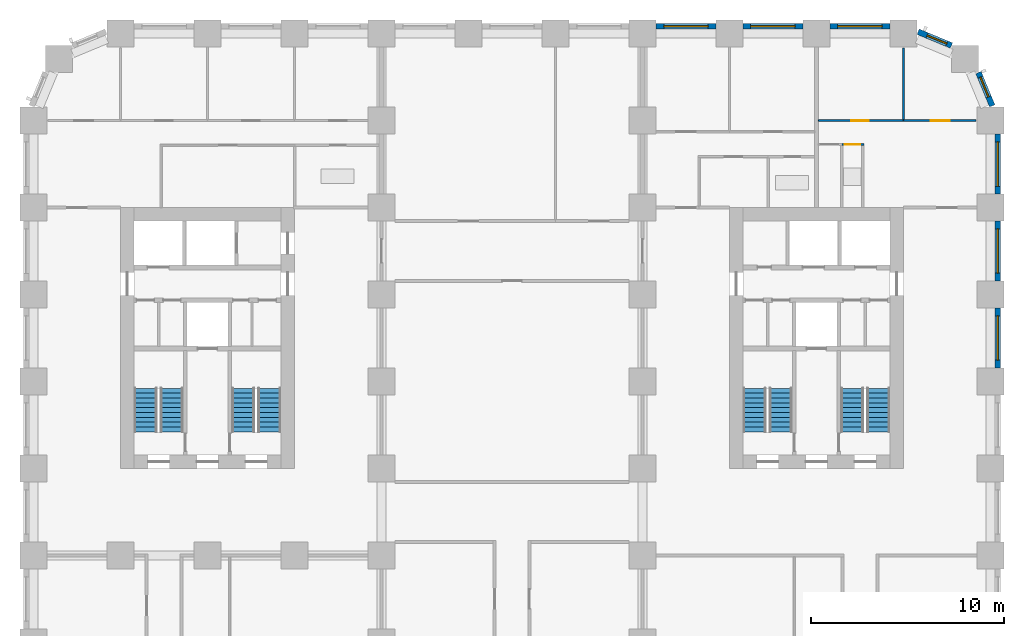
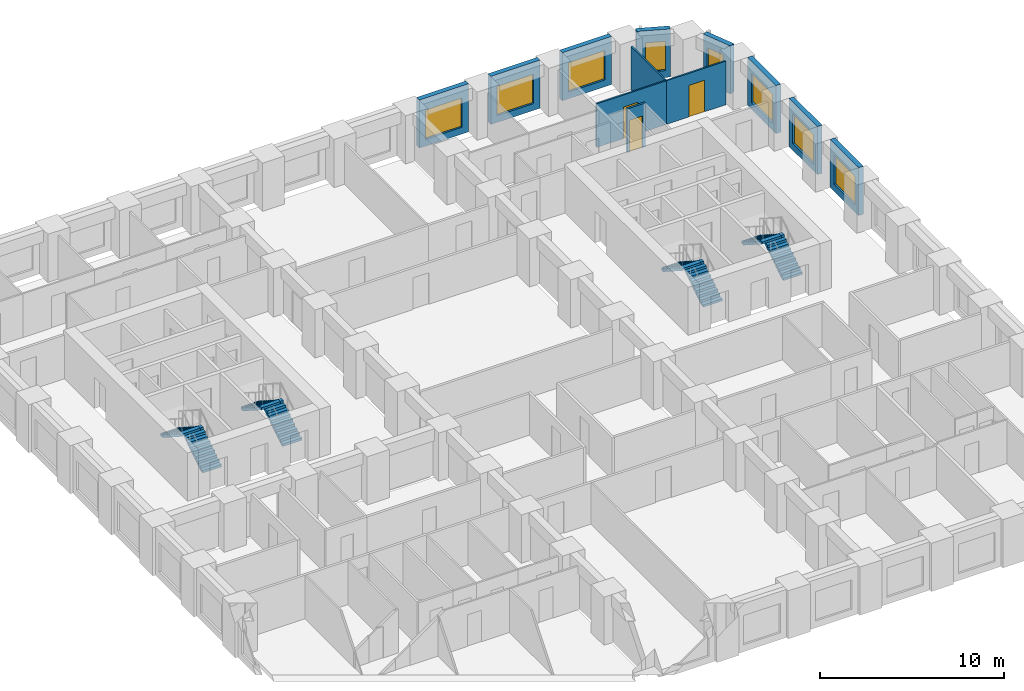
# One storey, part 9 of 12: 12 walls, 8 stair flights, 8 windows, 3 doors, 11 openings, 4 elements without a shape of their own.
"""IFC4 building model written with IfcOpenShell, lengths in metres."""

import ifcopenshell
import ifcopenshell.guid

model = None  # the IFC model being written
_history = None  # IfcOwnerHistory: only IFC2X3 demands one
_inside = {}  # id of a spatial element -> (the spatial element, [elements in it])
_under = {}  # id of a project, library or spatial element -> (it, [spatial elements below it])
_declared = {}  # id of a project -> (the project, [libraries it declares])
_typed = {}  # id of a type object -> (the type object, [elements of that type])
_made_of = {}  # id of a material, layer set ... -> (it, [elements and type objects made of it])


def new_model(schema):
    """Start an empty IFC model of exactly this schema.

    Asked for "IFC4X3", IfcOpenShell would pick the latest addendum, in which some entities
    have other attributes; the version numbers below select the first issue.
    IFC2X3 requires an IfcOwnerHistory on every rooted entity: one is made here for all.
    """
    global model, _history
    if schema == "IFC4X3":
        model = ifcopenshell.file(schema_version=(4, 3, 0, 0))
    else:
        model = ifcopenshell.file(schema=schema)
    _inside.clear()
    _under.clear()
    _declared.clear()
    _typed.clear()
    _made_of.clear()
    _history = None
    if model.schema == "IFC2X3":
        org = make("IfcOrganization", Name="unknown")
        user = make(
            "IfcPersonAndOrganization",
            ThePerson=make("IfcPerson", FamilyName="unknown"),
            TheOrganization=org,
        )
        app = make(
            "IfcApplication",
            ApplicationDeveloper=org,
            Version="unknown",
            ApplicationFullName="unknown",
            ApplicationIdentifier="unknown",
        )
        _history = make(
            "IfcOwnerHistory",
            OwningUser=user,
            OwningApplication=app,
            ChangeAction="ADDED",
            CreationDate=0,
        )
    return model


def make(cls, **values):
    """One entity of the class cls with the attributes given. An attribute that is None is left unset."""
    return model.create_entity(
        cls, **{name: value for name, value in values.items() if value is not None}
    )


def rooted(cls, **values):
    """An entity with a GlobalId (a new one), such as an element, a storey or a relation."""
    return make(cls, GlobalId=ifcopenshell.guid.new(), OwnerHistory=_history, **values)


def si_unit(unit_type, name, prefix=None):
    """IfcSIUnit, for example si_unit("LENGTHUNIT", "METRE", prefix="MILLI")."""
    return make("IfcSIUnit", UnitType=unit_type, Prefix=prefix, Name=name)


def assignment(units):
    """IfcUnitAssignment: the units of a project."""
    return None if units is None else make("IfcUnitAssignment", Units=units)


def point(xyz):
    """IfcCartesianPoint."""
    return None if xyz is None else make("IfcCartesianPoint", Coordinates=xyz)


def direction(xyz):
    """IfcDirection."""
    return None if xyz is None else make("IfcDirection", DirectionRatios=xyz)


def frame(location, z_axis=None, x_axis=None):
    """IfcAxis2Placement3D, a coordinate frame: its origin and axes. An axis left out is left unset."""
    return make(
        "IfcAxis2Placement3D",
        Location=point(location),
        Axis=direction(z_axis),
        RefDirection=direction(x_axis),
    )


def frame_2d(location, x_axis=None):
    """IfcAxis2Placement2D, a coordinate frame in the plane: its origin and x axis."""
    return make(
        "IfcAxis2Placement2D", Location=point(location), RefDirection=direction(x_axis)
    )


def origin():
    """The frame at (0, 0, 0) with its axes left unset."""
    return frame((0.0, 0.0, 0.0))


def place(relative_to, where):
    """IfcLocalPlacement: puts the frame where relative to a parent placement (None: the world)."""
    return make(
        "IfcLocalPlacement", PlacementRelTo=relative_to, RelativePlacement=where
    )


def context(
    kind, dimensions, precision=None, world=None, true_north=None, identifier=None
):
    """IfcGeometricRepresentationContext, for example the 3D "Model" context."""
    return make(
        "IfcGeometricRepresentationContext",
        ContextIdentifier=identifier,
        ContextType=kind,
        CoordinateSpaceDimension=dimensions,
        Precision=precision,
        WorldCoordinateSystem=world,
        TrueNorth=true_north,
    )


def subcontext(parent, identifier, kind, view, scale=None):
    """IfcGeometricRepresentationSubContext, for example "Body" below "Model"."""
    return make(
        "IfcGeometricRepresentationSubContext",
        ContextIdentifier=identifier,
        ContextType=kind,
        ParentContext=parent,
        TargetScale=scale,
        TargetView=view,
    )


def project(units=None, contexts=None):
    """IfcProject with its units and contexts."""
    return rooted(
        "IfcProject",
        Name="project",
        RepresentationContexts=contexts,
        UnitsInContext=assignment(units),
    )


def spatial(cls, under=None, at=None, **own):
    """A site, building, storey or space (cls), placed at a placement, below another one or the project."""
    s = rooted(cls, ObjectPlacement=at, **own)
    if under is not None:
        _under.setdefault(under.id(), (under, []))[1].append(s)
    return s


def polyline(points):
    """IfcPolyline through the points."""
    return make("IfcPolyline", Points=[point(p) for p in points])


def profile(cls, at=None, kind="AREA", **sizes):
    """A parametric profile (cls). Its sizes go by their IFC names, for example OverallWidth=200.0."""
    return make(cls, ProfileType=kind, Position=at, **sizes)


def rectangle(**sizes):
    """IfcRectangleProfileDef."""
    return profile("IfcRectangleProfileDef", **sizes)


def outline(outer, holes=None, kind="AREA"):
    """IfcArbitraryClosedProfileDef: a profile drawn as a closed curve; with holes, ...WithVoids."""
    if holes is None:
        return make("IfcArbitraryClosedProfileDef", ProfileType=kind, OuterCurve=outer)
    return make(
        "IfcArbitraryProfileDefWithVoids",
        ProfileType=kind,
        OuterCurve=outer,
        InnerCurves=holes,
    )


def extrude(swept, where, along, depth):
    """IfcExtrudedAreaSolid: the profile swept, set in the frame where, extruded along a direction by depth."""
    return make(
        "IfcExtrudedAreaSolid",
        SweptArea=swept,
        Position=where,
        ExtrudedDirection=direction(along),
        Depth=depth,
    )


def shape(context_of_items, identifier, shape_type, items):
    """IfcShapeRepresentation: the items that make up one representation, for example the "Body"."""
    return make(
        "IfcShapeRepresentation",
        ContextOfItems=context_of_items,
        RepresentationIdentifier=identifier,
        RepresentationType=shape_type,
        Items=items,
    )


def material(Name=None, Category=None):
    """IfcMaterial."""
    return make("IfcMaterial", Name=Name, Category=Category)


def layer(
    of_material, thickness, ventilated=None, Name=None, Category=None, Priority=None
):
    """IfcMaterialLayer: one layer of a wall or slab, of a material (None: an air gap)."""
    return make(
        "IfcMaterialLayer",
        Material=of_material,
        LayerThickness=thickness,
        IsVentilated=ventilated,
        Name=Name,
        Category=Category,
        Priority=Priority,
    )


def layer_set(layers, Name=None):
    """IfcMaterialLayerSet."""
    return make("IfcMaterialLayerSet", MaterialLayers=layers, LayerSetName=Name)


def made_of(thing, what):
    """Note that an element or type object is made of a material, layer set ...; save() writes the relation."""
    if what is not None:
        _made_of.setdefault(what.id(), (what, []))[1].append(thing)
    return thing


def type_object(cls, material=None, **own):
    """A type object (cls), such as IfcWallType, which elements share."""
    return made_of(rooted(cls, **own), material)


def element(
    cls,
    number,
    at=None,
    inside=None,
    cuts=None,
    type_object=None,
    material=None,
    context=None,
    identifier="Body",
    shape_type=None,
    held_by="IfcProductDefinitionShape",
    body=None,
    shapes=None,
    **own,
):
    """One element of the class cls, such as IfcWall. Its Tag is "e" and its number.

    at: its placement. inside: the storey or other place that contains it. cuts: it is an
    opening in that element (IfcRelVoidsElement). A single representation is given by context,
    identifier, shape_type and body (its items); several are given by shapes. held_by: the class
    of the entity that holds the representations. save() writes the other relations.
    """
    e = rooted(cls, Tag="e%d" % number, ObjectPlacement=at, **own)
    if body is not None:
        shapes = [shape(context, identifier, shape_type, body)]
    if shapes is not None:
        e.Representation = make(held_by, Representations=shapes)
    if inside is not None:
        _inside.setdefault(inside.id(), (inside, []))[1].append(e)
    if cuts is not None:
        rooted(
            "IfcRelVoidsElement", RelatingBuildingElement=cuts, RelatedOpeningElement=e
        )
    if type_object is not None:
        _typed.setdefault(type_object.id(), (type_object, []))[1].append(e)
    return made_of(e, material)


def fill(opening, filler):
    """IfcRelFillsElement: the door or window that sits in an opening."""
    return rooted(
        "IfcRelFillsElement",
        RelatingOpeningElement=opening,
        RelatedBuildingElement=filler,
    )


def aggregate(whole, parts):
    """IfcRelAggregates: a whole, such as a stair, and the parts it consists of."""
    return rooted("IfcRelAggregates", RelatingObject=whole, RelatedObjects=parts)


def save(model, path):
    """Write the relations noted so far, then the file.

    IfcRelAggregates (storeys below a building ...), IfcRelContainedInSpatialStructure (elements
    in a storey), IfcRelDefinesByType, IfcRelAssociatesMaterial and IfcRelDeclares: one each for
    every whole, place, type object, material and project.
    """
    for whole, parts in _under.values():
        aggregate(whole, parts)
    for where, things in _inside.values():
        rooted(
            "IfcRelContainedInSpatialStructure",
            RelatedElements=things,
            RelatingStructure=where,
        )
    for kind, things in _typed.values():
        rooted("IfcRelDefinesByType", RelatedObjects=things, RelatingType=kind)
    for what, things in _made_of.values():
        rooted("IfcRelAssociatesMaterial", RelatedObjects=things, RelatingMaterial=what)
    for by, libraries in _declared.values():
        rooted("IfcRelDeclares", RelatingContext=by, RelatedDefinitions=libraries)
    model.write(path)


model = new_model("IFC4")

# Units and contexts
model_context = context("Model", 3, precision=1e-05, world=origin(), true_north=direction((0.0, 1.0)))
body_context = subcontext(model_context, "Body", "Model", "MODEL_VIEW")
ifc_project = project(units=[si_unit("LENGTHUNIT", "METRE"), si_unit("AREAUNIT", "SQUARE_METRE"), si_unit("VOLUMEUNIT", "CUBIC_METRE"), si_unit("PLANEANGLEUNIT", "RADIAN"), si_unit("MASSUNIT", "GRAM", prefix="KILO")], contexts=[model_context])

# Site, building, storey
site_placement = place(None, origin())
site = spatial("IfcSite", under=ifc_project, at=site_placement, CompositionType="ELEMENT")
building_placement = place(site_placement, origin())
building = spatial("IfcBuilding", under=site, at=building_placement, Name="Girih Gate Residences", CompositionType="ELEMENT")
storey_placement = place(building_placement, frame((0.0, 0.0, 59.199951171875)))
storey = spatial("IfcBuildingStorey", under=building, at=storey_placement, Name="L15", CompositionType="ELEMENT", Elevation=59.199951171875)

# Wall, opening, door
ifc_material_1 = material(Name="Gypsum board on steel studs", Category="steel")
ifc_layer_1 = layer(ifc_material_1, 0.10009765625)
ifc_layer_set_1 = layer_set([ifc_layer_1], Name="Partition 100 mm")
wall_type_1 = type_object("IfcWallType", Name="Partition 100 mm", PredefinedType="PARTITIONING", material=ifc_layer_set_1)
wall_1_placement = place(storey_placement, frame((40.60009765625, 45.0, 0.0), z_axis=(0.0, 0.0, 1.0), x_axis=(1.0, 0.0, 0.0)))
wall_1 = element("IfcWall", 1, at=wall_1_placement, inside=storey, type_object=wall_type_1, Name="L15 partition", PredefinedType="PARTITIONING", context=body_context, shape_type="SweptSolid", body=[
    extrude(rectangle(XDim=4.39990234375, YDim=0.10009765625, at=frame_2d((2.199951171875, 0.0))), origin(), (0.0, 0.0, 1.0), 2.900146484375),
])
opening_1_placement = place(wall_1_placement, frame((1.699951171875, 0.0, 0.0)))
opening_1 = element("IfcOpeningElement", 2, at=opening_1_placement, cuts=wall_1, Name="Opening A15-029", PredefinedType="OPENING", context=body_context, shape_type="SweptSolid", body=[
    extrude(rectangle(XDim=0.89990234375, YDim=2.10009765625, at=frame_2d((0.449951171875, 1.050048828125))), frame((0.0, 0.06005859375, 0.0), z_axis=(0.0, -1.0, 0.0), x_axis=(1.0, 0.0, 0.0)), (0.0, 0.0, 1.0), 0.1201171875),
])
ifc_material_2 = material(Name="Timber", Category="wood")
door_type_1 = type_object("IfcDoorType", Name="Bedroom door 900x2100", OperationType="NOTDEFINED", PredefinedType="DOOR", material=ifc_material_2)
door_1_placement = place(opening_1_placement, origin())
door_1 = element("IfcDoor", 3, at=door_1_placement, inside=storey, type_object=door_type_1, Name="Door A15-029", OperationType="SINGLE_SWING_LEFT", OverallHeight=2.10009765625, OverallWidth=0.89990234375, PredefinedType="DOOR", context=body_context, shape_type="SweptSolid", body=[
    extrude(rectangle(XDim=0.89990234375, YDim=2.10009765625, at=frame_2d((0.449951171875, 1.050048828125))), frame((0.0, 0.02490234375, 0.0), z_axis=(0.0, -1.0, 0.0), x_axis=(1.0, 0.0, 0.0)), (0.0, 0.0, 1.0), 0.050048828125),
])
fill(opening_1, door_1)

# Wall
wall_2_placement = place(storey_placement, frame((45.0, 45.050048828125, 0.0), z_axis=(0.0, 0.0, 1.0), x_axis=(0.0, 1.0, 0.0)))
element("IfcWall", 4, at=wall_2_placement, inside=storey, type_object=wall_type_1, Name="L15 partition", PredefinedType="PARTITIONING", context=body_context, shape_type="SweptSolid", body=[
    extrude(rectangle(XDim=3.6923828125, YDim=0.10009765625, at=frame_2d((1.84619140625, 0.0))), origin(), (0.0, 0.0, 1.0), 2.900146484375),
])

# Wall, opening, door
wall_3_placement = place(storey_placement, frame((45.0, 45.0, 0.0), z_axis=(0.0, 0.0, 1.0), x_axis=(1.0, 0.0, 0.0)))
wall_3 = element("IfcWall", 5, at=wall_3_placement, inside=storey, type_object=wall_type_1, Name="L15 partition", PredefinedType="PARTITIONING", context=body_context, shape_type="SweptSolid", body=[
    extrude(rectangle(XDim=3.742431640625, YDim=0.10009765625, at=frame_2d((1.87109375, 0.0))), origin(), (0.0, 0.0, 1.0), 2.900146484375),
])
opening_2_placement = place(wall_3_placement, frame((1.39990234375, 0.0, 0.0)))
opening_2 = element("IfcOpeningElement", 6, at=opening_2_placement, cuts=wall_3, Name="Opening A15-031", PredefinedType="OPENING", context=body_context, shape_type="SweptSolid", body=[
    extrude(rectangle(XDim=1.0, YDim=2.10009765625, at=frame_2d((0.5, 1.050048828125))), frame((0.0, 0.06005859375, 0.0), z_axis=(0.0, -1.0, 0.0), x_axis=(1.0, 0.0, 0.0)), (0.0, 0.0, 1.0), 0.1201171875),
])
door_type_2 = type_object("IfcDoorType", Name="Living room door 1000x2100", OperationType="NOTDEFINED", PredefinedType="DOOR", material=ifc_material_2)
door_2_placement = place(opening_2_placement, origin())
door_2 = element("IfcDoor", 7, at=door_2_placement, inside=storey, type_object=door_type_2, Name="Door A15-031", OperationType="SINGLE_SWING_RIGHT", OverallHeight=2.10009765625, OverallWidth=1.0, PredefinedType="DOOR", context=body_context, shape_type="SweptSolid", body=[
    extrude(rectangle(XDim=1.0, YDim=2.10009765625, at=frame_2d((0.5, 1.050048828125))), frame((0.0, 0.02490234375, 0.0), z_axis=(0.0, -1.0, 0.0), x_axis=(1.0, 0.0, 0.0)), (0.0, 0.0, 1.0), 0.050048828125),
])
fill(opening_2, door_2)

# Wall, opening, window
ifc_material_3 = material(Name="Precast concrete C50/60", Category="concrete")
ifc_layer_2 = layer(ifc_material_3, 0.080078125, Name="Outer leaf")
ifc_material_4 = material(Name="Rigid PIR insulation")
ifc_layer_3 = layer(ifc_material_4, 0.14990234375, Name="Insulation")
ifc_material_5 = material(Name="Precast concrete C40/50", Category="concrete")
ifc_layer_4 = layer(ifc_material_5, 0.070068359375, Name="Inner leaf")
ifc_layer_set_2 = layer_set([ifc_layer_2, ifc_layer_3, ifc_layer_4], Name="Precast concrete C50/60 external wall 300")
wall_type_2 = type_object("IfcWallType", Name="Precast concrete C50/60 external wall 300", PredefinedType="SOLIDWALL", material=ifc_layer_set_2)
wall_4_placement = place(storey_placement, frame((49.875, 35.300048828125, 0.0), z_axis=(0.0, 0.0, 1.0), x_axis=(0.0, -1.0, 0.0)))
wall_4 = element("IfcWall", 8, at=wall_4_placement, inside=storey, type_object=wall_type_2, Name="External wall E0495_0045.6", PredefinedType="SOLIDWALL", context=body_context, shape_type="SweptSolid", body=[
    extrude(rectangle(XDim=3.10009765625, YDim=0.300048828125, at=frame_2d((1.550048828125, 0.0))), origin(), (0.0, 0.0, 1.0), 3.199951171875),
])
opening_3_placement = place(wall_4_placement, frame((0.39990234375, 0.0, 0.449951171875)))
opening_3 = element("IfcOpeningElement", 9, at=opening_3_placement, cuts=wall_4, Name="Opening W-1", PredefinedType="OPENING", context=body_context, shape_type="SweptSolid", body=[
    extrude(rectangle(XDim=2.300048828125, YDim=1.949951171875, at=frame_2d((1.14990234375, 0.97509765625))), frame((0.0, 0.159912109375, 0.0), z_axis=(0.0, -1.0, 0.0), x_axis=(1.0, 0.0, 0.0)), (0.0, 0.0, 1.0), 0.320068359375),
])
ifc_material_6 = material(Name="Double glazing in aluminium frame", Category="aluminium")
window_type_1 = type_object("IfcWindowType", Name="Window W-1 2300x1950", PartitioningType="SINGLE_PANEL", PredefinedType="WINDOW", material=ifc_material_6)
window_1_placement = place(opening_3_placement, origin())
window_1 = element("IfcWindow", 10, at=window_1_placement, inside=storey, type_object=window_type_1, Name="Window W-1 E0495_0045.6", OverallHeight=1.949951171875, OverallWidth=2.300048828125, PartitioningType="SINGLE_PANEL", PredefinedType="WINDOW", context=body_context, shape_type="SweptSolid", body=[
    extrude(rectangle(XDim=2.300048828125, YDim=1.949951171875, at=frame_2d((1.14990234375, 0.97509765625))), frame((0.0, 0.030029296875, 0.0), z_axis=(0.0, -1.0, 0.0), x_axis=(1.0, 0.0, 0.0)), (0.0, 0.0, 1.0), 0.06005859375),
])
fill(opening_3, window_1)

wall_5_placement = place(storey_placement, frame((49.875, 39.800048828125, 0.0), z_axis=(0.0, 0.0, 1.0), x_axis=(0.0, -1.0, 0.0)))
wall_5 = element("IfcWall", 11, at=wall_5_placement, inside=storey, type_object=wall_type_2, Name="External wall E0495_0045.7", PredefinedType="SOLIDWALL", context=body_context, shape_type="SweptSolid", body=[
    extrude(rectangle(XDim=3.10009765625, YDim=0.300048828125, at=frame_2d((1.550048828125, 0.0))), origin(), (0.0, 0.0, 1.0), 3.199951171875),
])
opening_4_placement = place(wall_5_placement, frame((0.39990234375, 0.0, 0.449951171875)))
opening_4 = element("IfcOpeningElement", 12, at=opening_4_placement, cuts=wall_5, Name="Opening W-1", PredefinedType="OPENING", context=body_context, shape_type="SweptSolid", body=[
    extrude(rectangle(XDim=2.300048828125, YDim=1.949951171875, at=frame_2d((1.14990234375, 0.97509765625))), frame((0.0, 0.159912109375, 0.0), z_axis=(0.0, -1.0, 0.0), x_axis=(1.0, 0.0, 0.0)), (0.0, 0.0, 1.0), 0.320068359375),
])
window_2_placement = place(opening_4_placement, origin())
window_2 = element("IfcWindow", 13, at=window_2_placement, inside=storey, type_object=window_type_1, Name="Window W-1 E0495_0045.7", OverallHeight=1.949951171875, OverallWidth=2.300048828125, PartitioningType="SINGLE_PANEL", PredefinedType="WINDOW", context=body_context, shape_type="SweptSolid", body=[
    extrude(rectangle(XDim=2.300048828125, YDim=1.949951171875, at=frame_2d((1.14990234375, 0.97509765625))), frame((0.0, 0.030029296875, 0.0), z_axis=(0.0, -1.0, 0.0), x_axis=(1.0, 0.0, 0.0)), (0.0, 0.0, 1.0), 0.06005859375),
])
fill(opening_4, window_2)

wall_6_placement = place(storey_placement, frame((49.875, 44.300048828125, 0.0), z_axis=(0.0, 0.0, 1.0), x_axis=(0.0, -1.0, 0.0)))
wall_6 = element("IfcWall", 14, at=wall_6_placement, inside=storey, type_object=wall_type_2, Name="External wall E0495_0045.8", PredefinedType="SOLIDWALL", context=body_context, shape_type="SweptSolid", body=[
    extrude(rectangle(XDim=3.10009765625, YDim=0.300048828125, at=frame_2d((1.550048828125, 0.0))), origin(), (0.0, 0.0, 1.0), 3.199951171875),
])
opening_5_placement = place(wall_6_placement, frame((0.39990234375, 0.0, 0.449951171875)))
opening_5 = element("IfcOpeningElement", 15, at=opening_5_placement, cuts=wall_6, Name="Opening W-1", PredefinedType="OPENING", context=body_context, shape_type="SweptSolid", body=[
    extrude(rectangle(XDim=2.300048828125, YDim=1.949951171875, at=frame_2d((1.14990234375, 0.97509765625))), frame((0.0, 0.159912109375, 0.0), z_axis=(0.0, -1.0, 0.0), x_axis=(1.0, 0.0, 0.0)), (0.0, 0.0, 1.0), 0.320068359375),
])
window_3_placement = place(opening_5_placement, origin())
window_3 = element("IfcWindow", 16, at=window_3_placement, inside=storey, type_object=window_type_1, Name="Window W-1 E0495_0045.8", OverallHeight=1.949951171875, OverallWidth=2.300048828125, PartitioningType="SINGLE_PANEL", PredefinedType="WINDOW", context=body_context, shape_type="SweptSolid", body=[
    extrude(rectangle(XDim=2.300048828125, YDim=1.949951171875, at=frame_2d((1.14990234375, 0.97509765625))), frame((0.0, 0.030029296875, 0.0), z_axis=(0.0, -1.0, 0.0), x_axis=(1.0, 0.0, 0.0)), (0.0, 0.0, 1.0), 0.06005859375),
])
fill(opening_5, window_3)

wall_7_placement = place(storey_placement, frame((48.87841796875, 47.48046875, 0.0), z_axis=(0.0, 0.0, 1.0), x_axis=(0.38262540684, -0.923903565336, 0.0)))
wall_7 = element("IfcWall", 17, at=wall_7_placement, inside=storey, type_object=wall_type_2, Name="External wall NE0495_0450.0", PredefinedType="SOLIDWALL", context=body_context, shape_type="SweptSolid", body=[
    extrude(rectangle(XDim=1.864990234375, YDim=0.300048828125, at=frame_2d((0.9326171875, 0.0))), origin(), (0.0, 0.0, 1.0), 3.199951171875),
])
opening_6_placement = place(wall_7_placement, frame((0.257568359375, 0.0, 0.449951171875)))
opening_6 = element("IfcOpeningElement", 18, at=opening_6_placement, cuts=wall_7, Name="Opening W-2C", PredefinedType="OPENING", context=body_context, shape_type="SweptSolid", body=[
    extrude(rectangle(XDim=1.10009765625, YDim=1.949951171875, at=frame_2d((0.550048828125, 0.97509765625))), frame((0.0, 0.159912109375, 0.0), z_axis=(0.0, -1.0, 0.0), x_axis=(1.0, 0.0, 0.0)), (0.0, 0.0, 1.0), 0.320068359375),
])
window_type_2 = type_object("IfcWindowType", Name="Window W-2C 1100x1950", PartitioningType="SINGLE_PANEL", PredefinedType="WINDOW", material=ifc_material_6)
window_4_placement = place(opening_6_placement, origin())
window_4 = element("IfcWindow", 19, at=window_4_placement, inside=storey, type_object=window_type_2, Name="Window W-2C NE0495_0450.0", OverallHeight=1.949951171875, OverallWidth=1.10009765625, PartitioningType="SINGLE_PANEL", PredefinedType="WINDOW", context=body_context, shape_type="SweptSolid", body=[
    extrude(rectangle(XDim=1.10009765625, YDim=1.949951171875, at=frame_2d((0.550048828125, 0.97509765625))), frame((0.0, 0.030029296875, 0.0), z_axis=(0.0, -1.0, 0.0), x_axis=(1.0, 0.0, 0.0)), (0.0, 0.0, 1.0), 0.06005859375),
])
fill(opening_6, window_4)

wall_8_placement = place(storey_placement, frame((45.75732421875, 49.59228515625, 0.0), z_axis=(0.0, 0.0, 1.0), x_axis=(0.923857286003, -0.382737135771, 0.0)))
wall_8 = element("IfcWall", 20, at=wall_8_placement, inside=storey, type_object=wall_type_2, Name="External wall NE0482_0482.0", PredefinedType="SOLIDWALL", context=body_context, shape_type="SweptSolid", body=[
    extrude(rectangle(XDim=1.865234375, YDim=0.300048828125, at=frame_2d((0.9326171875, 0.0))), origin(), (0.0, 0.0, 1.0), 3.199951171875),
])
opening_7_placement = place(wall_8_placement, frame((0.507568359375, 0.0, 0.449951171875)))
opening_7 = element("IfcOpeningElement", 21, at=opening_7_placement, cuts=wall_8, Name="Opening W-2C", PredefinedType="OPENING", context=body_context, shape_type="SweptSolid", body=[
    extrude(rectangle(XDim=1.10009765625, YDim=1.949951171875, at=frame_2d((0.550048828125, 0.97509765625))), frame((0.0, 0.159912109375, 0.0), z_axis=(0.0, -1.0, 0.0), x_axis=(1.0, 0.0, 0.0)), (0.0, 0.0, 1.0), 0.320068359375),
])
window_5_placement = place(opening_7_placement, origin())
window_5 = element("IfcWindow", 22, at=window_5_placement, inside=storey, type_object=window_type_2, Name="Window W-2C NE0482_0482.0", OverallHeight=1.949951171875, OverallWidth=1.10009765625, PartitioningType="SINGLE_PANEL", PredefinedType="WINDOW", context=body_context, shape_type="SweptSolid", body=[
    extrude(rectangle(XDim=1.10009765625, YDim=1.949951171875, at=frame_2d((0.550048828125, 0.97509765625))), frame((0.0, 0.030029296875, 0.0), z_axis=(0.0, -1.0, 0.0), x_axis=(1.0, 0.0, 0.0)), (0.0, 0.0, 1.0), 0.06005859375),
])
fill(opening_7, window_5)

wall_9_placement = place(storey_placement, frame((41.199951171875, 49.875, 0.0), z_axis=(0.0, 0.0, 1.0), x_axis=(1.0, 0.0, 0.0)))
wall_9 = element("IfcWall", 23, at=wall_9_placement, inside=storey, type_object=wall_type_2, Name="External wall N0450_0495.0", PredefinedType="SOLIDWALL", context=body_context, shape_type="SweptSolid", body=[
    extrude(rectangle(XDim=3.10009765625, YDim=0.300048828125, at=frame_2d((1.550048828125, 0.0))), origin(), (0.0, 0.0, 1.0), 3.199951171875),
])
opening_8_placement = place(wall_9_placement, frame((0.39990234375, 0.0, 0.449951171875)))
opening_8 = element("IfcOpeningElement", 24, at=opening_8_placement, cuts=wall_9, Name="Opening W-1", PredefinedType="OPENING", context=body_context, shape_type="SweptSolid", body=[
    extrude(rectangle(XDim=2.300048828125, YDim=1.949951171875, at=frame_2d((1.14990234375, 0.97509765625))), frame((0.0, 0.159912109375, 0.0), z_axis=(0.0, -1.0, 0.0), x_axis=(1.0, 0.0, 0.0)), (0.0, 0.0, 1.0), 0.320068359375),
])
window_6_placement = place(opening_8_placement, origin())
window_6 = element("IfcWindow", 25, at=window_6_placement, inside=storey, type_object=window_type_1, Name="Window W-1 N0450_0495.0", OverallHeight=1.949951171875, OverallWidth=2.300048828125, PartitioningType="SINGLE_PANEL", PredefinedType="WINDOW", context=body_context, shape_type="SweptSolid", body=[
    extrude(rectangle(XDim=2.300048828125, YDim=1.949951171875, at=frame_2d((1.14990234375, 0.97509765625))), frame((0.0, 0.030029296875, 0.0), z_axis=(0.0, -1.0, 0.0), x_axis=(1.0, 0.0, 0.0)), (0.0, 0.0, 1.0), 0.06005859375),
])
fill(opening_8, window_6)

wall_10_placement = place(storey_placement, frame((36.699951171875, 49.875, 0.0), z_axis=(0.0, 0.0, 1.0), x_axis=(1.0, 0.0, 0.0)))
wall_10 = element("IfcWall", 26, at=wall_10_placement, inside=storey, type_object=wall_type_2, Name="External wall N0450_0495.1", PredefinedType="SOLIDWALL", context=body_context, shape_type="SweptSolid", body=[
    extrude(rectangle(XDim=3.10009765625, YDim=0.300048828125, at=frame_2d((1.550048828125, 0.0))), origin(), (0.0, 0.0, 1.0), 3.199951171875),
])
opening_9_placement = place(wall_10_placement, frame((0.39990234375, 0.0, 0.449951171875)))
opening_9 = element("IfcOpeningElement", 27, at=opening_9_placement, cuts=wall_10, Name="Opening W-1", PredefinedType="OPENING", context=body_context, shape_type="SweptSolid", body=[
    extrude(rectangle(XDim=2.300048828125, YDim=1.949951171875, at=frame_2d((1.14990234375, 0.97509765625))), frame((0.0, 0.159912109375, 0.0), z_axis=(0.0, -1.0, 0.0), x_axis=(1.0, 0.0, 0.0)), (0.0, 0.0, 1.0), 0.320068359375),
])
window_7_placement = place(opening_9_placement, origin())
window_7 = element("IfcWindow", 28, at=window_7_placement, inside=storey, type_object=window_type_1, Name="Window W-1 N0450_0495.1", OverallHeight=1.949951171875, OverallWidth=2.300048828125, PartitioningType="SINGLE_PANEL", PredefinedType="WINDOW", context=body_context, shape_type="SweptSolid", body=[
    extrude(rectangle(XDim=2.300048828125, YDim=1.949951171875, at=frame_2d((1.14990234375, 0.97509765625))), frame((0.0, 0.030029296875, 0.0), z_axis=(0.0, -1.0, 0.0), x_axis=(1.0, 0.0, 0.0)), (0.0, 0.0, 1.0), 0.06005859375),
])
fill(opening_9, window_7)

wall_11_placement = place(storey_placement, frame((32.199951171875, 49.875, 0.0), z_axis=(0.0, 0.0, 1.0), x_axis=(1.0, 0.0, 0.0)))
wall_11 = element("IfcWall", 29, at=wall_11_placement, inside=storey, type_object=wall_type_2, Name="External wall N0450_0495.2", PredefinedType="SOLIDWALL", context=body_context, shape_type="SweptSolid", body=[
    extrude(rectangle(XDim=3.10009765625, YDim=0.300048828125, at=frame_2d((1.550048828125, 0.0))), origin(), (0.0, 0.0, 1.0), 3.199951171875),
])
opening_10_placement = place(wall_11_placement, frame((0.39990234375, 0.0, 0.449951171875)))
opening_10 = element("IfcOpeningElement", 30, at=opening_10_placement, cuts=wall_11, Name="Opening W-1", PredefinedType="OPENING", context=body_context, shape_type="SweptSolid", body=[
    extrude(rectangle(XDim=2.300048828125, YDim=1.949951171875, at=frame_2d((1.14990234375, 0.97509765625))), frame((0.0, 0.159912109375, 0.0), z_axis=(0.0, -1.0, 0.0), x_axis=(1.0, 0.0, 0.0)), (0.0, 0.0, 1.0), 0.320068359375),
])
window_8_placement = place(opening_10_placement, origin())
window_8 = element("IfcWindow", 31, at=window_8_placement, inside=storey, type_object=window_type_1, Name="Window W-1 N0450_0495.2", OverallHeight=1.949951171875, OverallWidth=2.300048828125, PartitioningType="SINGLE_PANEL", PredefinedType="WINDOW", context=body_context, shape_type="SweptSolid", body=[
    extrude(rectangle(XDim=2.300048828125, YDim=1.949951171875, at=frame_2d((1.14990234375, 0.97509765625))), frame((0.0, 0.030029296875, 0.0), z_axis=(0.0, -1.0, 0.0), x_axis=(1.0, 0.0, 0.0)), (0.0, 0.0, 1.0), 0.06005859375),
])
fill(opening_10, window_8)

# Wall, opening, door
ifc_layer_5 = layer(ifc_material_1, 0.125)
ifc_layer_set_3 = layer_set([ifc_layer_5], Name="Wet room wall 125 mm")
wall_type_3 = type_object("IfcWallType", Name="Wet room wall 125 mm", PredefinedType="PARTITIONING", material=ifc_layer_set_3)
wall_12_placement = place(storey_placement, frame((42.96240234375, 43.760009765625, 0.0), z_axis=(0.0, 0.0, 1.0), x_axis=(-1.0, 0.0, 0.0)))
wall_12 = element("IfcWall", 32, at=wall_12_placement, inside=storey, type_object=wall_type_3, Name="L15 partition", PredefinedType="PARTITIONING", context=body_context, shape_type="SweptSolid", body=[
    extrude(rectangle(XDim=1.1533203125, YDim=0.125, at=frame_2d((0.57666015625, 0.0))), origin(), (0.0, 0.0, 1.0), 2.900146484375),
])
opening_11_placement = place(wall_12_placement, frame((0.2080078125, 0.0, 0.0)))
opening_11 = element("IfcOpeningElement", 33, at=opening_11_placement, cuts=wall_12, Name="Opening A15-028", PredefinedType="OPENING", context=body_context, shape_type="SweptSolid", body=[
    extrude(rectangle(XDim=0.800048828125, YDim=2.10009765625, at=frame_2d((0.39990234375, 1.050048828125))), frame((0.0, 0.072509765625, 0.0), z_axis=(0.0, -1.0, 0.0), x_axis=(1.0, 0.0, 0.0)), (0.0, 0.0, 1.0), 0.14501953125),
])
door_type_3 = type_object("IfcDoorType", Name="Bathroom door 800x2100", OperationType="NOTDEFINED", PredefinedType="DOOR", material=ifc_material_2)
door_3_placement = place(opening_11_placement, origin())
door_3 = element("IfcDoor", 34, at=door_3_placement, inside=storey, type_object=door_type_3, Name="Door A15-028", OperationType="SINGLE_SWING_RIGHT", OverallHeight=2.10009765625, OverallWidth=0.800048828125, PredefinedType="DOOR", context=body_context, shape_type="SweptSolid", body=[
    extrude(rectangle(XDim=0.800048828125, YDim=2.10009765625, at=frame_2d((0.39990234375, 1.050048828125))), frame((0.0, 0.02490234375, 0.0), z_axis=(0.0, -1.0, 0.0), x_axis=(1.0, 0.0, 0.0)), (0.0, 0.0, 1.0), 0.050048828125),
])
fill(opening_11, door_3)

# Stair, stair flights
ifc_material_7 = material(Name="Concrete C40/50", Category="concrete")
stair_type = type_object("IfcStairType", Name="Exit stair", PredefinedType="HALF_TURN_STAIR", material=ifc_material_7)
stair_1_placement = place(storey_placement, origin())
stair_1 = element("IfcStair", 35, at=stair_1_placement, inside=storey, type_object=stair_type, Name="L15 Exit Stair ST-W1", PredefinedType="HALF_TURN_STAIR")
stair_flight_type = type_object("IfcStairFlightType", Name="Stair flight 1200", PredefinedType="STRAIGHT", material=ifc_material_7)
stair_flight_1_placement = place(storey_placement, frame((7.14990234375, 28.89990234375, 0.0), z_axis=(0.0, 0.0, 1.0), x_axis=(0.0, 1.0, 0.0)))
stair_flight_1 = element("IfcStairFlight", 36, at=stair_flight_1_placement, type_object=stair_flight_type, Name="ST-W1 flight 1", NumberOfRisers=10, NumberOfTreads=9, PredefinedType="STRAIGHT", RiserHeight=0.16, TreadLength=0.25, context=body_context, shape_type="SweptSolid", body=[
    extrude(outline(polyline([(0.0, 0.0), (0.0, 0.159912109375), (0.25, 0.159912109375), (0.25, 0.320068359375), (0.5, 0.320068359375), (0.5, 0.47998046875), (0.75, 0.47998046875), (0.75, 0.639892578125), (1.0, 0.639892578125), (1.0, 0.800048828125), (1.25, 0.800048828125), (1.25, 0.9599609375), (1.5, 0.9599609375), (1.5, 1.1201171875), (1.75, 1.1201171875), (1.75, 1.280029296875), (2.0, 1.280029296875), (2.0, 1.43994140625), (2.25, 1.43994140625), (2.25, 1.60009765625), (2.25, 1.29736328125), (0.222900390625, 0.0), (0.0, 0.0)])), frame((0.0, 0.60009765625, 0.0), z_axis=(0.0, -1.0, 0.0), x_axis=(1.0, 0.0, 0.0)), (0.0, 0.0, 1.0), 1.199951171875),
])
stair_flight_2_placement = place(storey_placement, frame((5.800048828125, 31.14990234375, 1.60009765625), z_axis=(0.0, 0.0, 1.0), x_axis=(0.0, -1.0, 0.0)))
stair_flight_2 = element("IfcStairFlight", 37, at=stair_flight_2_placement, type_object=stair_flight_type, Name="ST-W1 flight 2", NumberOfRisers=10, NumberOfTreads=9, PredefinedType="STRAIGHT", RiserHeight=0.16, TreadLength=0.25, context=body_context, shape_type="SweptSolid", body=[
    extrude(outline(polyline([(0.0, 0.0), (0.0, 0.159912109375), (0.25, 0.159912109375), (0.25, 0.320068359375), (0.5, 0.320068359375), (0.5, 0.47998046875), (0.75, 0.47998046875), (0.75, 0.639892578125), (1.0, 0.639892578125), (1.0, 0.800048828125), (1.25, 0.800048828125), (1.25, 0.9599609375), (1.5, 0.9599609375), (1.5, 1.1201171875), (1.75, 1.1201171875), (1.75, 1.280029296875), (2.0, 1.280029296875), (2.0, 1.43994140625), (2.25, 1.43994140625), (2.25, 1.60009765625), (2.25, 1.29736328125), (0.222900390625, 0.0), (0.0, 0.0)])), frame((0.0, 0.60009765625, 0.0), z_axis=(0.0, -1.0, 0.0), x_axis=(1.0, 0.0, 0.0)), (0.0, 0.0, 1.0), 1.199951171875),
])
aggregate(stair_1, [stair_flight_1, stair_flight_2])

stair_2_placement = place(storey_placement, origin())
stair_2 = element("IfcStair", 38, at=stair_2_placement, inside=storey, type_object=stair_type, Name="L15 Exit Stair ST-W2", PredefinedType="HALF_TURN_STAIR")
stair_flight_3_placement = place(storey_placement, frame((12.199951171875, 28.89990234375, 0.0), z_axis=(0.0, 0.0, 1.0), x_axis=(0.0, 1.0, 0.0)))
stair_flight_3 = element("IfcStairFlight", 39, at=stair_flight_3_placement, type_object=stair_flight_type, Name="ST-W2 flight 1", NumberOfRisers=10, NumberOfTreads=9, PredefinedType="STRAIGHT", RiserHeight=0.16, TreadLength=0.25, context=body_context, shape_type="SweptSolid", body=[
    extrude(outline(polyline([(0.0, 0.0), (0.0, 0.159912109375), (0.25, 0.159912109375), (0.25, 0.320068359375), (0.5, 0.320068359375), (0.5, 0.47998046875), (0.75, 0.47998046875), (0.75, 0.639892578125), (1.0, 0.639892578125), (1.0, 0.800048828125), (1.25, 0.800048828125), (1.25, 0.9599609375), (1.5, 0.9599609375), (1.5, 1.1201171875), (1.75, 1.1201171875), (1.75, 1.280029296875), (2.0, 1.280029296875), (2.0, 1.43994140625), (2.25, 1.43994140625), (2.25, 1.60009765625), (2.25, 1.29736328125), (0.222900390625, 0.0), (0.0, 0.0)])), frame((0.0, 0.60009765625, 0.0), z_axis=(0.0, -1.0, 0.0), x_axis=(1.0, 0.0, 0.0)), (0.0, 0.0, 1.0), 1.199951171875),
])
stair_flight_4_placement = place(storey_placement, frame((10.85009765625, 31.14990234375, 1.60009765625), z_axis=(0.0, 0.0, 1.0), x_axis=(0.0, -1.0, 0.0)))
stair_flight_4 = element("IfcStairFlight", 40, at=stair_flight_4_placement, type_object=stair_flight_type, Name="ST-W2 flight 2", NumberOfRisers=10, NumberOfTreads=9, PredefinedType="STRAIGHT", RiserHeight=0.16, TreadLength=0.25, context=body_context, shape_type="SweptSolid", body=[
    extrude(outline(polyline([(0.0, 0.0), (0.0, 0.159912109375), (0.25, 0.159912109375), (0.25, 0.320068359375), (0.5, 0.320068359375), (0.5, 0.47998046875), (0.75, 0.47998046875), (0.75, 0.639892578125), (1.0, 0.639892578125), (1.0, 0.800048828125), (1.25, 0.800048828125), (1.25, 0.9599609375), (1.5, 0.9599609375), (1.5, 1.1201171875), (1.75, 1.1201171875), (1.75, 1.280029296875), (2.0, 1.280029296875), (2.0, 1.43994140625), (2.25, 1.43994140625), (2.25, 1.60009765625), (2.25, 1.29736328125), (0.222900390625, 0.0), (0.0, 0.0)])), frame((0.0, 0.60009765625, 0.0), z_axis=(0.0, -1.0, 0.0), x_axis=(1.0, 0.0, 0.0)), (0.0, 0.0, 1.0), 1.199951171875),
])
aggregate(stair_2, [stair_flight_3, stair_flight_4])

stair_3_placement = place(storey_placement, origin())
stair_3 = element("IfcStair", 41, at=stair_3_placement, inside=storey, type_object=stair_type, Name="L15 Exit Stair ST-E1", PredefinedType="HALF_TURN_STAIR")
stair_flight_5_placement = place(storey_placement, frame((43.699951171875, 28.89990234375, 0.0), z_axis=(0.0, 0.0, 1.0), x_axis=(0.0, 1.0, 0.0)))
stair_flight_5 = element("IfcStairFlight", 42, at=stair_flight_5_placement, type_object=stair_flight_type, Name="ST-E1 flight 1", NumberOfRisers=10, NumberOfTreads=9, PredefinedType="STRAIGHT", RiserHeight=0.16, TreadLength=0.25, context=body_context, shape_type="SweptSolid", body=[
    extrude(outline(polyline([(0.0, 0.0), (0.0, 0.159912109375), (0.25, 0.159912109375), (0.25, 0.320068359375), (0.5, 0.320068359375), (0.5, 0.47998046875), (0.75, 0.47998046875), (0.75, 0.639892578125), (1.0, 0.639892578125), (1.0, 0.800048828125), (1.25, 0.800048828125), (1.25, 0.9599609375), (1.5, 0.9599609375), (1.5, 1.1201171875), (1.75, 1.1201171875), (1.75, 1.280029296875), (2.0, 1.280029296875), (2.0, 1.43994140625), (2.25, 1.43994140625), (2.25, 1.60009765625), (2.25, 1.29736328125), (0.222900390625, 0.0), (0.0, 0.0)])), frame((0.0, 0.60009765625, 0.0), z_axis=(0.0, -1.0, 0.0), x_axis=(1.0, 0.0, 0.0)), (0.0, 0.0, 1.0), 1.199951171875),
])
stair_flight_6_placement = place(storey_placement, frame((42.35009765625, 31.14990234375, 1.60009765625), z_axis=(0.0, 0.0, 1.0), x_axis=(0.0, -1.0, 0.0)))
stair_flight_6 = element("IfcStairFlight", 43, at=stair_flight_6_placement, type_object=stair_flight_type, Name="ST-E1 flight 2", NumberOfRisers=10, NumberOfTreads=9, PredefinedType="STRAIGHT", RiserHeight=0.16, TreadLength=0.25, context=body_context, shape_type="SweptSolid", body=[
    extrude(outline(polyline([(0.0, 0.0), (0.0, 0.159912109375), (0.25, 0.159912109375), (0.25, 0.320068359375), (0.5, 0.320068359375), (0.5, 0.47998046875), (0.75, 0.47998046875), (0.75, 0.639892578125), (1.0, 0.639892578125), (1.0, 0.800048828125), (1.25, 0.800048828125), (1.25, 0.9599609375), (1.5, 0.9599609375), (1.5, 1.1201171875), (1.75, 1.1201171875), (1.75, 1.280029296875), (2.0, 1.280029296875), (2.0, 1.43994140625), (2.25, 1.43994140625), (2.25, 1.60009765625), (2.25, 1.29736328125), (0.222900390625, 0.0), (0.0, 0.0)])), frame((0.0, 0.60009765625, 0.0), z_axis=(0.0, -1.0, 0.0), x_axis=(1.0, 0.0, 0.0)), (0.0, 0.0, 1.0), 1.199951171875),
])
aggregate(stair_3, [stair_flight_5, stair_flight_6])

stair_4_placement = place(storey_placement, origin())
stair_4 = element("IfcStair", 44, at=stair_4_placement, inside=storey, type_object=stair_type, Name="L15 Exit Stair ST-E2", PredefinedType="HALF_TURN_STAIR")
stair_flight_7_placement = place(storey_placement, frame((38.64990234375, 28.89990234375, 0.0), z_axis=(0.0, 0.0, 1.0), x_axis=(0.0, 1.0, 0.0)))
stair_flight_7 = element("IfcStairFlight", 45, at=stair_flight_7_placement, type_object=stair_flight_type, Name="ST-E2 flight 1", NumberOfRisers=10, NumberOfTreads=9, PredefinedType="STRAIGHT", RiserHeight=0.16, TreadLength=0.25, context=body_context, shape_type="SweptSolid", body=[
    extrude(outline(polyline([(0.0, 0.0), (0.0, 0.159912109375), (0.25, 0.159912109375), (0.25, 0.320068359375), (0.5, 0.320068359375), (0.5, 0.47998046875), (0.75, 0.47998046875), (0.75, 0.639892578125), (1.0, 0.639892578125), (1.0, 0.800048828125), (1.25, 0.800048828125), (1.25, 0.9599609375), (1.5, 0.9599609375), (1.5, 1.1201171875), (1.75, 1.1201171875), (1.75, 1.280029296875), (2.0, 1.280029296875), (2.0, 1.43994140625), (2.25, 1.43994140625), (2.25, 1.60009765625), (2.25, 1.29736328125), (0.222900390625, 0.0), (0.0, 0.0)])), frame((0.0, 0.60009765625, 0.0), z_axis=(0.0, -1.0, 0.0), x_axis=(1.0, 0.0, 0.0)), (0.0, 0.0, 1.0), 1.199951171875),
])
stair_flight_8_placement = place(storey_placement, frame((37.300048828125, 31.14990234375, 1.60009765625), z_axis=(0.0, 0.0, 1.0), x_axis=(0.0, -1.0, 0.0)))
stair_flight_8 = element("IfcStairFlight", 46, at=stair_flight_8_placement, type_object=stair_flight_type, Name="ST-E2 flight 2", NumberOfRisers=10, NumberOfTreads=9, PredefinedType="STRAIGHT", RiserHeight=0.16, TreadLength=0.25, context=body_context, shape_type="SweptSolid", body=[
    extrude(outline(polyline([(0.0, 0.0), (0.0, 0.159912109375), (0.25, 0.159912109375), (0.25, 0.320068359375), (0.5, 0.320068359375), (0.5, 0.47998046875), (0.75, 0.47998046875), (0.75, 0.639892578125), (1.0, 0.639892578125), (1.0, 0.800048828125), (1.25, 0.800048828125), (1.25, 0.9599609375), (1.5, 0.9599609375), (1.5, 1.1201171875), (1.75, 1.1201171875), (1.75, 1.280029296875), (2.0, 1.280029296875), (2.0, 1.43994140625), (2.25, 1.43994140625), (2.25, 1.60009765625), (2.25, 1.29736328125), (0.222900390625, 0.0), (0.0, 0.0)])), frame((0.0, 0.60009765625, 0.0), z_axis=(0.0, -1.0, 0.0), x_axis=(1.0, 0.0, 0.0)), (0.0, 0.0, 1.0), 1.199951171875),
])
aggregate(stair_4, [stair_flight_7, stair_flight_8])

save(model, "model.ifc")
